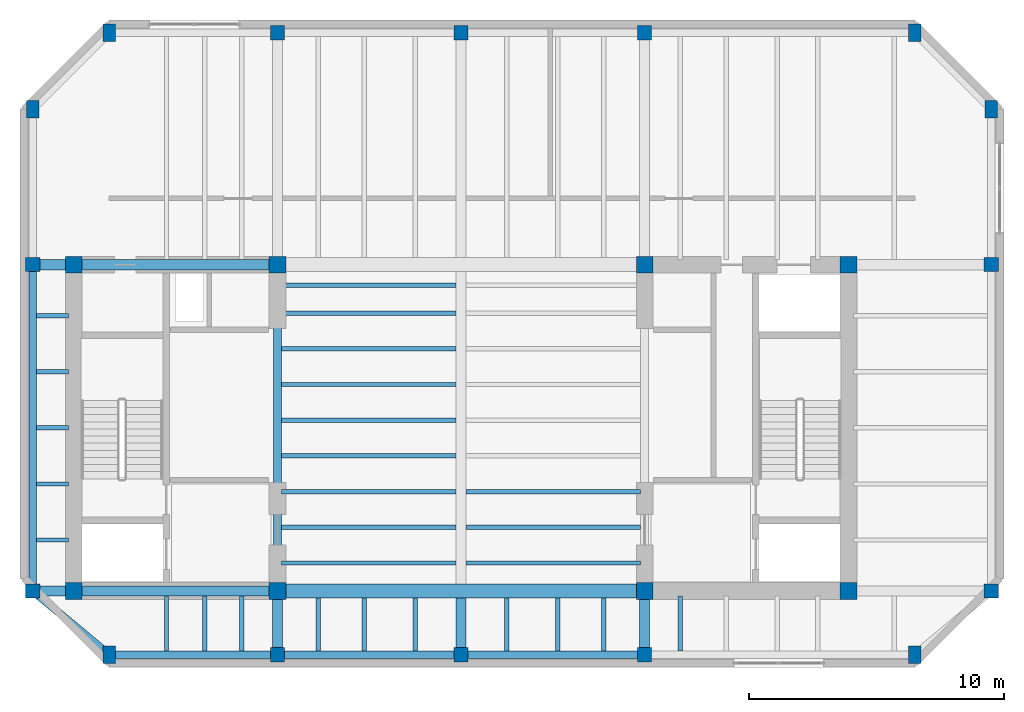
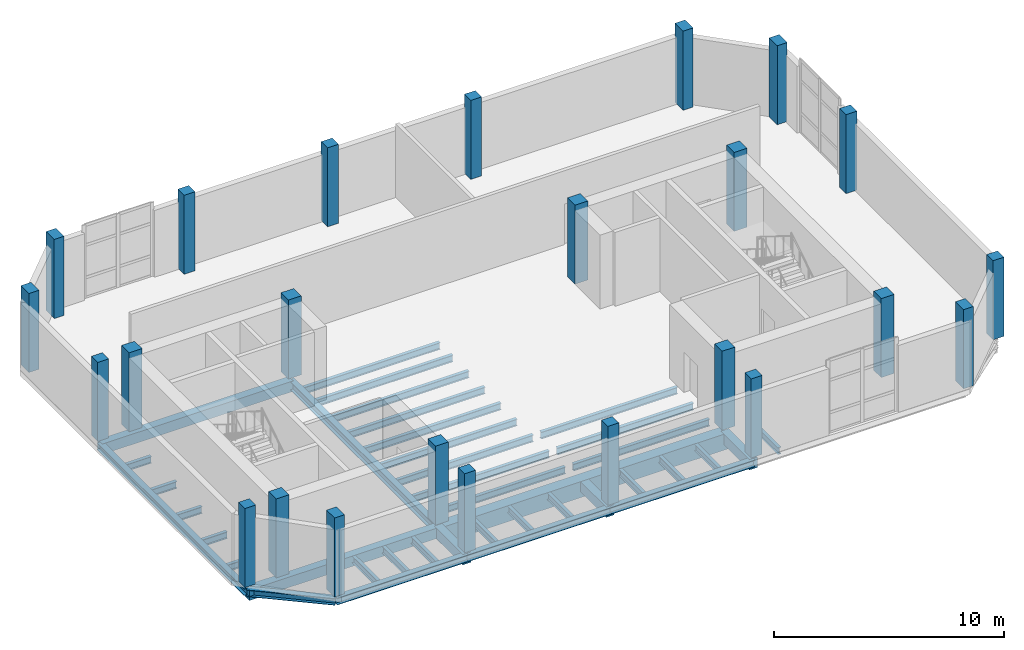
# One storey, part 1 of 7: 39 beams, 24 columns.
"""IFC4 building model written with IfcOpenShell, lengths in metres."""

import ifcopenshell
import ifcopenshell.guid

model = None  # the IFC model being written
_history = None  # IfcOwnerHistory: only IFC2X3 demands one
_inside = {}  # id of a spatial element -> (the spatial element, [elements in it])
_under = {}  # id of a project, library or spatial element -> (it, [spatial elements below it])
_declared = {}  # id of a project -> (the project, [libraries it declares])
_typed = {}  # id of a type object -> (the type object, [elements of that type])
_made_of = {}  # id of a material, layer set ... -> (it, [elements and type objects made of it])


def new_model(schema):
    """Start an empty IFC model of exactly this schema.

    Asked for "IFC4X3", IfcOpenShell would pick the latest addendum, in which some entities
    have other attributes; the version numbers below select the first issue.
    IFC2X3 requires an IfcOwnerHistory on every rooted entity: one is made here for all.
    """
    global model, _history
    if schema == "IFC4X3":
        model = ifcopenshell.file(schema_version=(4, 3, 0, 0))
    else:
        model = ifcopenshell.file(schema=schema)
    _inside.clear()
    _under.clear()
    _declared.clear()
    _typed.clear()
    _made_of.clear()
    _history = None
    if model.schema == "IFC2X3":
        org = make("IfcOrganization", Name="unknown")
        user = make(
            "IfcPersonAndOrganization",
            ThePerson=make("IfcPerson", FamilyName="unknown"),
            TheOrganization=org,
        )
        app = make(
            "IfcApplication",
            ApplicationDeveloper=org,
            Version="unknown",
            ApplicationFullName="unknown",
            ApplicationIdentifier="unknown",
        )
        _history = make(
            "IfcOwnerHistory",
            OwningUser=user,
            OwningApplication=app,
            ChangeAction="ADDED",
            CreationDate=0,
        )
    return model


def make(cls, **values):
    """One entity of the class cls with the attributes given. An attribute that is None is left unset."""
    return model.create_entity(
        cls, **{name: value for name, value in values.items() if value is not None}
    )


def rooted(cls, **values):
    """An entity with a GlobalId (a new one), such as an element, a storey or a relation."""
    return make(cls, GlobalId=ifcopenshell.guid.new(), OwnerHistory=_history, **values)


def si_unit(unit_type, name, prefix=None):
    """IfcSIUnit, for example si_unit("LENGTHUNIT", "METRE", prefix="MILLI")."""
    return make("IfcSIUnit", UnitType=unit_type, Prefix=prefix, Name=name)


def assignment(units):
    """IfcUnitAssignment: the units of a project."""
    return None if units is None else make("IfcUnitAssignment", Units=units)


def point(xyz):
    """IfcCartesianPoint."""
    return None if xyz is None else make("IfcCartesianPoint", Coordinates=xyz)


def direction(xyz):
    """IfcDirection."""
    return None if xyz is None else make("IfcDirection", DirectionRatios=xyz)


def frame(location, z_axis=None, x_axis=None):
    """IfcAxis2Placement3D, a coordinate frame: its origin and axes. An axis left out is left unset."""
    return make(
        "IfcAxis2Placement3D",
        Location=point(location),
        Axis=direction(z_axis),
        RefDirection=direction(x_axis),
    )


def frame_2d(location, x_axis=None):
    """IfcAxis2Placement2D, a coordinate frame in the plane: its origin and x axis."""
    return make(
        "IfcAxis2Placement2D", Location=point(location), RefDirection=direction(x_axis)
    )


def origin():
    """The frame at (0, 0, 0) with its axes left unset."""
    return frame((0.0, 0.0, 0.0))


def origin_2d():
    """The frame at (0, 0) in the plane with its x axis left unset."""
    return frame_2d((0.0, 0.0))


def place(relative_to, where):
    """IfcLocalPlacement: puts the frame where relative to a parent placement (None: the world)."""
    return make(
        "IfcLocalPlacement", PlacementRelTo=relative_to, RelativePlacement=where
    )


def context(
    kind, dimensions, precision=None, world=None, true_north=None, identifier=None
):
    """IfcGeometricRepresentationContext, for example the 3D "Model" context."""
    return make(
        "IfcGeometricRepresentationContext",
        ContextIdentifier=identifier,
        ContextType=kind,
        CoordinateSpaceDimension=dimensions,
        Precision=precision,
        WorldCoordinateSystem=world,
        TrueNorth=true_north,
    )


def subcontext(parent, identifier, kind, view, scale=None):
    """IfcGeometricRepresentationSubContext, for example "Body" below "Model"."""
    return make(
        "IfcGeometricRepresentationSubContext",
        ContextIdentifier=identifier,
        ContextType=kind,
        ParentContext=parent,
        TargetScale=scale,
        TargetView=view,
    )


def project(units=None, contexts=None):
    """IfcProject with its units and contexts."""
    return rooted(
        "IfcProject",
        Name="project",
        RepresentationContexts=contexts,
        UnitsInContext=assignment(units),
    )


def spatial(cls, under=None, at=None, **own):
    """A site, building, storey or space (cls), placed at a placement, below another one or the project."""
    s = rooted(cls, ObjectPlacement=at, **own)
    if under is not None:
        _under.setdefault(under.id(), (under, []))[1].append(s)
    return s


def profile(cls, at=None, kind="AREA", **sizes):
    """A parametric profile (cls). Its sizes go by their IFC names, for example OverallWidth=200.0."""
    return make(cls, ProfileType=kind, Position=at, **sizes)


def rectangle(**sizes):
    """IfcRectangleProfileDef."""
    return profile("IfcRectangleProfileDef", **sizes)


def i_section(**sizes):
    """IfcIShapeProfileDef."""
    return profile("IfcIShapeProfileDef", **sizes)


def extrude(swept, where, along, depth):
    """IfcExtrudedAreaSolid: the profile swept, set in the frame where, extruded along a direction by depth."""
    return make(
        "IfcExtrudedAreaSolid",
        SweptArea=swept,
        Position=where,
        ExtrudedDirection=direction(along),
        Depth=depth,
    )


def shape(context_of_items, identifier, shape_type, items):
    """IfcShapeRepresentation: the items that make up one representation, for example the "Body"."""
    return make(
        "IfcShapeRepresentation",
        ContextOfItems=context_of_items,
        RepresentationIdentifier=identifier,
        RepresentationType=shape_type,
        Items=items,
    )


def material(Name=None, Category=None):
    """IfcMaterial."""
    return make("IfcMaterial", Name=Name, Category=Category)


def material_profile(
    of_material, cross_section, Name=None, Category=None, Priority=None
):
    """IfcMaterialProfile: a cross section and its material."""
    return make(
        "IfcMaterialProfile",
        Name=Name,
        Material=of_material,
        Profile=cross_section,
        Priority=Priority,
        Category=Category,
    )


def profile_set(profiles, Name=None, composite=None):
    """IfcMaterialProfileSet."""
    return make(
        "IfcMaterialProfileSet",
        Name=Name,
        MaterialProfiles=profiles,
        CompositeProfile=composite,
    )


def made_of(thing, what):
    """Note that an element or type object is made of a material, layer set ...; save() writes the relation."""
    if what is not None:
        _made_of.setdefault(what.id(), (what, []))[1].append(thing)
    return thing


def type_object(cls, material=None, **own):
    """A type object (cls), such as IfcWallType, which elements share."""
    return made_of(rooted(cls, **own), material)


def element(
    cls,
    number,
    at=None,
    inside=None,
    cuts=None,
    type_object=None,
    material=None,
    context=None,
    identifier="Body",
    shape_type=None,
    held_by="IfcProductDefinitionShape",
    body=None,
    shapes=None,
    **own,
):
    """One element of the class cls, such as IfcWall. Its Tag is "e" and its number.

    at: its placement. inside: the storey or other place that contains it. cuts: it is an
    opening in that element (IfcRelVoidsElement). A single representation is given by context,
    identifier, shape_type and body (its items); several are given by shapes. held_by: the class
    of the entity that holds the representations. save() writes the other relations.
    """
    e = rooted(cls, Tag="e%d" % number, ObjectPlacement=at, **own)
    if body is not None:
        shapes = [shape(context, identifier, shape_type, body)]
    if shapes is not None:
        e.Representation = make(held_by, Representations=shapes)
    if inside is not None:
        _inside.setdefault(inside.id(), (inside, []))[1].append(e)
    if cuts is not None:
        rooted(
            "IfcRelVoidsElement", RelatingBuildingElement=cuts, RelatedOpeningElement=e
        )
    if type_object is not None:
        _typed.setdefault(type_object.id(), (type_object, []))[1].append(e)
    return made_of(e, material)


def aggregate(whole, parts):
    """IfcRelAggregates: a whole, such as a stair, and the parts it consists of."""
    return rooted("IfcRelAggregates", RelatingObject=whole, RelatedObjects=parts)


def save(model, path):
    """Write the relations noted so far, then the file.

    IfcRelAggregates (storeys below a building ...), IfcRelContainedInSpatialStructure (elements
    in a storey), IfcRelDefinesByType, IfcRelAssociatesMaterial and IfcRelDeclares: one each for
    every whole, place, type object, material and project.
    """
    for whole, parts in _under.values():
        aggregate(whole, parts)
    for where, things in _inside.values():
        rooted(
            "IfcRelContainedInSpatialStructure",
            RelatedElements=things,
            RelatingStructure=where,
        )
    for kind, things in _typed.values():
        rooted("IfcRelDefinesByType", RelatedObjects=things, RelatingType=kind)
    for what, things in _made_of.values():
        rooted("IfcRelAssociatesMaterial", RelatedObjects=things, RelatingMaterial=what)
    for by, libraries in _declared.values():
        rooted("IfcRelDeclares", RelatingContext=by, RelatedDefinitions=libraries)
    model.write(path)


model = new_model("IFC4")

# Units and contexts
model_context = context("Model", 3, precision=1e-05, world=origin(), true_north=direction((0.0, 1.0)))
body_context = subcontext(model_context, "Body", "Model", "MODEL_VIEW")
ifc_project = project(units=[si_unit("LENGTHUNIT", "METRE"), si_unit("AREAUNIT", "SQUARE_METRE"), si_unit("VOLUMEUNIT", "CUBIC_METRE"), si_unit("PLANEANGLEUNIT", "RADIAN"), si_unit("MASSUNIT", "GRAM", prefix="KILO")], contexts=[model_context])

# Site, building, storey
site_placement = place(None, origin())
site = spatial("IfcSite", under=ifc_project, at=site_placement, CompositionType="ELEMENT")
building_placement = place(site_placement, origin())
building = spatial("IfcBuilding", under=site, at=building_placement, Name="Kranthara Brick Stack", CompositionType="ELEMENT")
storey_placement = place(building_placement, frame((0.0, 0.0, 304.800048828125)))
storey = spatial("IfcBuildingStorey", under=building, at=storey_placement, Name="L80", CompositionType="ELEMENT", Elevation=304.800048828125)

# Columns
ifc_material_1 = material(Name="Concrete C45/55", Category="concrete")
ifc_material_profile_1 = material_profile(ifc_material_1, rectangle(XDim=0.5, YDim=0.699951171875, at=origin_2d()), Name="RC 500x700")
ifc_profile_set_1 = profile_set([ifc_material_profile_1], Name="Concrete C45/55")
column_type_1 = type_object("IfcColumnType", Name="COL-CHAM-500x700", PredefinedType="COLUMN", material=ifc_profile_set_1)
for number, where, z_axis, x_axis, name in (
    (1, (14.199951171875, 18.300048828125, 0.0), (0.0, 0.0, 1.0), (1.0, 0.0, 0.0), "L80 Column 09"),
    (2, (14.199951171875, 42.699951171875, 0.0), (0.0, 0.0, 1.0), (1.0, 0.0, 0.0), "L80 Column 10"),
    (3, (45.800048828125, 18.300048828125, 0.0), (0.0, 0.0, 1.0), (1.0, 0.0, 0.0), "L80 Column 17"),
    (4, (45.800048828125, 42.699951171875, 0.0), (0.0, 0.0, 1.0), (1.0, 0.0, 0.0), "L80 Column 18"),
    (5, (11.199951171875, 39.699951171875, 0.0), (0.0, 0.0, 1.0), (1.0, 0.0, 0.0), "L80 Column 23"),
    (6, (48.800048828125, 39.699951171875, 0.0), (0.0, 0.0, 1.0), (1.0, 0.0, 0.0), "L80 Column 24"),
):
    element("IfcColumn", number, at=place(storey_placement, frame(where, z_axis=z_axis, x_axis=x_axis)), inside=storey, type_object=column_type_1, Name=name, PredefinedType="COLUMN", context=body_context, shape_type="SweptSolid", body=[
        extrude(rectangle(XDim=0.5, YDim=0.699951171875, at=origin_2d()), origin(), (0.0, 0.0, 1.0), 4.199951171875),
    ])
ifc_material_2 = material(Name="Concrete C50/60", Category="concrete")
ifc_material_profile_2 = material_profile(ifc_material_2, rectangle(XDim=0.64990234375, YDim=0.64990234375, at=origin_2d()), Name="RC 650x650")
ifc_profile_set_2 = profile_set([ifc_material_profile_2], Name="Concrete C50/60")
column_type_2 = type_object("IfcColumnType", Name="COL-CORE-650", PredefinedType="COLUMN", material=ifc_profile_set_2)
for number, where, z_axis, x_axis, name in (
    (7, (12.800048828125, 20.800048828125, 0.0), (0.0, 0.0, 1.0), (1.0, 0.0, 0.0), "L80 Column 01"),
    (8, (20.800048828125, 20.800048828125, 0.0), (0.0, 0.0, 1.0), (1.0, 0.0, 0.0), "L80 Column 02"),
    (9, (12.800048828125, 33.60009765625, 0.0), (0.0, 0.0, 1.0), (1.0, 0.0, 0.0), "L80 Column 03"),
    (10, (20.800048828125, 33.60009765625, 0.0), (0.0, 0.0, 1.0), (1.0, 0.0, 0.0), "L80 Column 04"),
    (11, (35.199951171875, 20.800048828125, 0.0), (0.0, 0.0, 1.0), (1.0, 0.0, 0.0), "L80 Column 05"),
    (12, (43.199951171875, 20.800048828125, 0.0), (0.0, 0.0, 1.0), (1.0, 0.0, 0.0), "L80 Column 06"),
    (13, (35.199951171875, 33.60009765625, 0.0), (0.0, 0.0, 1.0), (1.0, 0.0, 0.0), "L80 Column 07"),
    (14, (43.199951171875, 33.60009765625, 0.0), (0.0, 0.0, 1.0), (1.0, 0.0, 0.0), "L80 Column 08"),
):
    element("IfcColumn", number, at=place(storey_placement, frame(where, z_axis=z_axis, x_axis=x_axis)), inside=storey, type_object=column_type_2, Name=name, PredefinedType="COLUMN", context=body_context, shape_type="SweptSolid", body=[
        extrude(rectangle(XDim=0.64990234375, YDim=0.64990234375, at=origin_2d()), origin(), (0.0, 0.0, 1.0), 4.199951171875),
    ])
ifc_material_3 = material(Name="Concrete C45/55", Category="concrete")
ifc_material_profile_3 = material_profile(ifc_material_3, rectangle(XDim=0.550048828125, YDim=0.550048828125, at=origin_2d()), Name="RC 550x550")
ifc_profile_set_3 = profile_set([ifc_material_profile_3], Name="Concrete C45/55")
column_type_3 = type_object("IfcColumnType", Name="COL-PER-550", PredefinedType="COLUMN", material=ifc_profile_set_3)
for number, where, z_axis, x_axis, name in (
    (15, (20.800048828125, 18.300048828125, 0.0), (0.0, 0.0, 1.0), (1.0, 0.0, 0.0), "L80 Column 11"),
    (16, (20.800048828125, 42.699951171875, 0.0), (0.0, 0.0, 1.0), (1.0, 0.0, 0.0), "L80 Column 12"),
    (17, (28.0, 18.300048828125, 0.0), (0.0, 0.0, 1.0), (1.0, 0.0, 0.0), "L80 Column 13"),
    (18, (28.0, 42.699951171875, 0.0), (0.0, 0.0, 1.0), (1.0, 0.0, 0.0), "L80 Column 14"),
    (19, (35.199951171875, 18.300048828125, 0.0), (0.0, 0.0, 1.0), (1.0, 0.0, 0.0), "L80 Column 15"),
    (20, (35.199951171875, 42.699951171875, 0.0), (0.0, 0.0, 1.0), (1.0, 0.0, 0.0), "L80 Column 16"),
    (21, (11.199951171875, 20.800048828125, 0.0), (0.0, 0.0, 1.0), (1.0, 0.0, 0.0), "L80 Column 19"),
    (22, (48.800048828125, 20.800048828125, 0.0), (0.0, 0.0, 1.0), (1.0, 0.0, 0.0), "L80 Column 20"),
    (23, (11.199951171875, 33.60009765625, 0.0), (0.0, 0.0, 1.0), (1.0, 0.0, 0.0), "L80 Column 21"),
    (24, (48.800048828125, 33.60009765625, 0.0), (0.0, 0.0, 1.0), (1.0, 0.0, 0.0), "L80 Column 22"),
):
    element("IfcColumn", number, at=place(storey_placement, frame(where, z_axis=z_axis, x_axis=x_axis)), inside=storey, type_object=column_type_3, Name=name, PredefinedType="COLUMN", context=body_context, shape_type="SweptSolid", body=[
        extrude(rectangle(XDim=0.550048828125, YDim=0.550048828125, at=origin_2d()), origin(), (0.0, 0.0, 1.0), 4.199951171875),
    ])

# Beams
ifc_material_4 = material(Name="Concrete C50/60", Category="concrete")
ifc_material_profile_4 = material_profile(ifc_material_4, rectangle(XDim=0.550048828125, YDim=0.85009765625, at=origin_2d()), Name="RC 550x850")
ifc_profile_set_4 = profile_set([ifc_material_profile_4], Name="Concrete C50/60")
beam_type_1 = type_object("IfcBeamType", Name="BM-CPL-RC850", PredefinedType="LINTEL", material=ifc_profile_set_4)
beam_1_placement = place(storey_placement, frame((20.800048828125, 20.800048828125, -0.705078125), z_axis=(1.0, 0.0, 0.0), x_axis=(0.0, 1.0, 0.0)))
element("IfcBeam", 25, at=beam_1_placement, inside=storey, type_object=beam_type_1, Name="L80 Core Coupling Beam 001", PredefinedType="LINTEL", context=body_context, shape_type="SweptSolid", body=[
    extrude(rectangle(XDim=0.550048828125, YDim=0.85009765625, at=origin_2d()), origin(), (0.0, 0.0, 1.0), 14.39990234375),
])
ifc_material_5 = material(Name="Post-tensioned concrete C45/55", Category="concrete")
ifc_material_profile_5 = material_profile(ifc_material_5, rectangle(XDim=0.39990234375, YDim=0.550048828125, at=origin_2d()), Name="PT 400x550")
ifc_profile_set_5 = profile_set([ifc_material_profile_5], Name="Post-tensioned concrete C45/55")
beam_type_2 = type_object("IfcBeamType", Name="BM-FLR-PT550", PredefinedType="BEAM", material=ifc_profile_set_5)
beam_2_placement = place(storey_placement, frame((20.800048828125, 18.300048828125, -0.554931640625), z_axis=(0.0, 1.0, 0.0), x_axis=(-1.0, 0.0, 0.0)))
element("IfcBeam", 26, at=beam_2_placement, inside=storey, type_object=beam_type_2, Name="L80 Primary Grid Girder 021", PredefinedType="BEAM", context=body_context, shape_type="SweptSolid", body=[
    extrude(rectangle(XDim=0.39990234375, YDim=0.550048828125, at=origin_2d()), origin(), (0.0, 0.0, 1.0), 2.5),
])
beam_3_placement = place(storey_placement, frame((28.0, 18.300048828125, -0.554931640625), z_axis=(0.0, 1.0, 0.0), x_axis=(-1.0, 0.0, 0.0)))
element("IfcBeam", 27, at=beam_3_placement, inside=storey, type_object=beam_type_2, Name="L80 Primary Grid Girder 023", PredefinedType="BEAM", context=body_context, shape_type="SweptSolid", body=[
    extrude(rectangle(XDim=0.39990234375, YDim=0.550048828125, at=origin_2d()), origin(), (0.0, 0.0, 1.0), 2.224853515625),
])
beam_4_placement = place(storey_placement, frame((35.199951171875, 18.300048828125, -0.554931640625), z_axis=(0.0, 1.0, 0.0), x_axis=(-1.0, 0.0, 0.0)))
element("IfcBeam", 28, at=beam_4_placement, inside=storey, type_object=beam_type_2, Name="L80 Primary Grid Girder 026", PredefinedType="BEAM", context=body_context, shape_type="SweptSolid", body=[
    extrude(rectangle(XDim=0.39990234375, YDim=0.550048828125, at=origin_2d()), origin(), (0.0, 0.0, 1.0), 2.5),
])
for number, where, z_axis, x_axis, name in (
    (29, (11.199951171875, 20.800048828125, -0.554931640625), (1.0, 0.0, 0.0), (0.0, 1.0, 0.0), "L80 Primary Grid Girder 028"),
    (30, (11.199951171875, 33.60009765625, -0.554931640625), (1.0, 0.0, 0.0), (0.0, 1.0, 0.0), "L80 Primary Grid Girder 030"),
):
    element("IfcBeam", number, at=place(storey_placement, frame(where, z_axis=z_axis, x_axis=x_axis)), inside=storey, type_object=beam_type_2, Name=name, PredefinedType="BEAM", context=body_context, shape_type="SweptSolid", body=[
        extrude(rectangle(XDim=0.39990234375, YDim=0.550048828125, at=origin_2d()), origin(), (0.0, 0.0, 1.0), 9.60009765625),
    ])
ifc_material_6 = material(Name="Steel S355", Category="steel")
ifc_material_profile_6 = material_profile(ifc_material_6, i_section(OverallWidth=0.169921875, OverallDepth=0.360107421875, WebThickness=0.008056640625, FlangeThickness=0.0126953125, at=origin_2d()), Name="IPE 360")
ifc_profile_set_6 = profile_set([ifc_material_profile_6], Name="Steel S355")
beam_type_3 = type_object("IfcBeamType", Name="BM-JST-IPE360", PredefinedType="JOIST", material=ifc_profile_set_6)
for number, where, z_axis, x_axis, name in (
    (31, (20.949951171875, 21.89990234375, -0.4599609375), (1.0, 0.0, 0.0), (0.0, 1.0, 0.0), "L80 Central Floor Joist 032"),
    (32, (28.199951171875, 21.89990234375, -0.4599609375), (1.0, 0.0, 0.0), (0.0, 1.0, 0.0), "L80 Central Floor Joist 033"),
    (33, (20.949951171875, 23.300048828125, -0.4599609375), (1.0, 0.0, 0.0), (0.0, 1.0, 0.0), "L80 Central Floor Joist 034"),
    (34, (28.199951171875, 23.300048828125, -0.4599609375), (1.0, 0.0, 0.0), (0.0, 1.0, 0.0), "L80 Central Floor Joist 035"),
    (35, (20.949951171875, 24.699951171875, -0.4599609375), (1.0, 0.0, 0.0), (0.0, 1.0, 0.0), "L80 Central Floor Joist 036"),
    (36, (28.199951171875, 24.699951171875, -0.4599609375), (1.0, 0.0, 0.0), (0.0, 1.0, 0.0), "L80 Central Floor Joist 037"),
    (37, (20.949951171875, 26.10009765625, -0.4599609375), (1.0, 0.0, 0.0), (0.0, 1.0, 0.0), "L80 Central Floor Joist 038"),
    (38, (20.949951171875, 27.5, -0.4599609375), (1.0, 0.0, 0.0), (0.0, 1.0, 0.0), "L80 Central Floor Joist 040"),
    (39, (20.949951171875, 28.89990234375, -0.4599609375), (1.0, 0.0, 0.0), (0.0, 1.0, 0.0), "L80 Central Floor Joist 042"),
    (40, (20.949951171875, 30.300048828125, -0.4599609375), (1.0, 0.0, 0.0), (0.0, 1.0, 0.0), "L80 Central Floor Joist 044"),
    (41, (20.949951171875, 31.699951171875, -0.4599609375), (1.0, 0.0, 0.0), (0.0, 1.0, 0.0), "L80 Central Floor Joist 046"),
    (42, (20.949951171875, 32.800048828125, -0.4599609375), (1.0, 0.0, 0.0), (0.0, 1.0, 0.0), "L80 Central Floor Joist 048"),
):
    element("IfcBeam", number, at=place(storey_placement, frame(where, z_axis=z_axis, x_axis=x_axis)), inside=storey, type_object=beam_type_3, Name=name, PredefinedType="JOIST", context=body_context, shape_type="SweptSolid", body=[
        extrude(i_section(OverallWidth=0.169921875, OverallDepth=0.360107421875, WebThickness=0.008056640625, FlangeThickness=0.0126953125, at=origin_2d()), origin(), (0.0, 0.0, 1.0), 6.85009765625),
    ])
for number, where, z_axis, x_axis, name in (
    (43, (16.449951171875, 18.449951171875, -0.4599609375), (0.0, 1.0, 0.0), (-1.0, 0.0, 0.0), "L80 South Wing Floor Joist 050"),
    (44, (17.949951171875, 18.449951171875, -0.4599609375), (0.0, 1.0, 0.0), (-1.0, 0.0, 0.0), "L80 South Wing Floor Joist 052"),
    (45, (19.39990234375, 18.449951171875, -0.4599609375), (0.0, 1.0, 0.0), (-1.0, 0.0, 0.0), "L80 South Wing Floor Joist 054"),
):
    element("IfcBeam", number, at=place(storey_placement, frame(where, z_axis=z_axis, x_axis=x_axis)), inside=storey, type_object=beam_type_3, Name=name, PredefinedType="JOIST", context=body_context, shape_type="SweptSolid", body=[
        extrude(i_section(OverallWidth=0.169921875, OverallDepth=0.360107421875, WebThickness=0.008056640625, FlangeThickness=0.0126953125, at=origin_2d()), origin(), (0.0, 0.0, 1.0), 2.150146484375),
    ])
for number, where, z_axis, x_axis, name in (
    (46, (22.39990234375, 18.449951171875, -0.4599609375), (0.0, 1.0, 0.0), (-1.0, 0.0, 0.0), "L80 South Wing Floor Joist 056"),
    (47, (24.199951171875, 18.449951171875, -0.4599609375), (0.0, 1.0, 0.0), (-1.0, 0.0, 0.0), "L80 South Wing Floor Joist 058"),
    (48, (26.199951171875, 18.449951171875, -0.4599609375), (0.0, 1.0, 0.0), (-1.0, 0.0, 0.0), "L80 South Wing Floor Joist 060"),
    (49, (29.800048828125, 18.449951171875, -0.4599609375), (0.0, 1.0, 0.0), (-1.0, 0.0, 0.0), "L80 South Wing Floor Joist 062"),
    (50, (31.800048828125, 18.449951171875, -0.4599609375), (0.0, 1.0, 0.0), (-1.0, 0.0, 0.0), "L80 South Wing Floor Joist 064"),
    (51, (33.60009765625, 18.449951171875, -0.4599609375), (0.0, 1.0, 0.0), (-1.0, 0.0, 0.0), "L80 South Wing Floor Joist 066"),
):
    element("IfcBeam", number, at=place(storey_placement, frame(where, z_axis=z_axis, x_axis=x_axis)), inside=storey, type_object=beam_type_3, Name=name, PredefinedType="JOIST", context=body_context, shape_type="SweptSolid", body=[
        extrude(i_section(OverallWidth=0.169921875, OverallDepth=0.360107421875, WebThickness=0.008056640625, FlangeThickness=0.0126953125, at=origin_2d()), origin(), (0.0, 0.0, 1.0), 2.074951171875),
    ])
beam_5_placement = place(storey_placement, frame((36.60009765625, 18.449951171875, -0.4599609375), z_axis=(0.0, 1.0, 0.0), x_axis=(-1.0, 0.0, 0.0)))
element("IfcBeam", 52, at=beam_5_placement, inside=storey, type_object=beam_type_3, Name="L80 South Wing Floor Joist 068", PredefinedType="JOIST", context=body_context, shape_type="SweptSolid", body=[
    extrude(i_section(OverallWidth=0.169921875, OverallDepth=0.360107421875, WebThickness=0.008056640625, FlangeThickness=0.0126953125, at=origin_2d()), origin(), (0.0, 0.0, 1.0), 2.150146484375),
])
for number, where, z_axis, x_axis, name in (
    (53, (11.35009765625, 22.800048828125, -0.4599609375), (1.0, 0.0, 0.0), (0.0, 1.0, 0.0), "L80 West Wing Floor Joist 078"),
    (54, (11.35009765625, 25.0, -0.4599609375), (1.0, 0.0, 0.0), (0.0, 1.0, 0.0), "L80 West Wing Floor Joist 080"),
    (55, (11.35009765625, 27.199951171875, -0.4599609375), (1.0, 0.0, 0.0), (0.0, 1.0, 0.0), "L80 West Wing Floor Joist 082"),
    (56, (11.35009765625, 29.39990234375, -0.4599609375), (1.0, 0.0, 0.0), (0.0, 1.0, 0.0), "L80 West Wing Floor Joist 084"),
    (57, (11.35009765625, 31.60009765625, -0.4599609375), (1.0, 0.0, 0.0), (0.0, 1.0, 0.0), "L80 West Wing Floor Joist 086"),
):
    element("IfcBeam", number, at=place(storey_placement, frame(where, z_axis=z_axis, x_axis=x_axis)), inside=storey, type_object=beam_type_3, Name=name, PredefinedType="JOIST", context=body_context, shape_type="SweptSolid", body=[
        extrude(i_section(OverallWidth=0.169921875, OverallDepth=0.360107421875, WebThickness=0.008056640625, FlangeThickness=0.0126953125, at=origin_2d()), origin(), (0.0, 0.0, 1.0), 1.25),
    ])
ifc_material_7 = material(Name="Steel S355", Category="steel")
ifc_material_profile_7 = material_profile(ifc_material_7, i_section(OverallWidth=0.300048828125, OverallDepth=0.360107421875, WebThickness=0.012451171875, FlangeThickness=0.0224609375, at=origin_2d()), Name="HEB 360")
ifc_profile_set_7 = profile_set([ifc_material_profile_7], Name="Steel S355")
beam_type_4 = type_object("IfcBeamType", Name="BM-STL-HEB360", PredefinedType="SPANDREL", material=ifc_profile_set_7)
beam_6_placement = place(storey_placement, frame((14.199951171875, 18.300048828125, -0.4599609375), z_axis=(1.0, 0.0, 0.0), x_axis=(0.0, 1.0, 0.0)))
element("IfcBeam", 58, at=beam_6_placement, inside=storey, type_object=beam_type_4, Name="L80 Perimeter Spandrel Beam 005", PredefinedType="SPANDREL", context=body_context, shape_type="SweptSolid", body=[
    extrude(i_section(OverallWidth=0.300048828125, OverallDepth=0.360107421875, WebThickness=0.012451171875, FlangeThickness=0.0224609375, at=origin_2d()), origin(), (0.0, 0.0, 1.0), 6.60009765625),
])
for number, where, z_axis, x_axis, name in (
    (59, (20.800048828125, 18.300048828125, -0.4599609375), (1.0, 0.0, 0.0), (0.0, 1.0, 0.0), "L80 Perimeter Spandrel Beam 006"),
    (60, (28.0, 18.300048828125, -0.4599609375), (1.0, 0.0, 0.0), (0.0, 1.0, 0.0), "L80 Perimeter Spandrel Beam 007"),
):
    element("IfcBeam", number, at=place(storey_placement, frame(where, z_axis=z_axis, x_axis=x_axis)), inside=storey, type_object=beam_type_4, Name=name, PredefinedType="SPANDREL", context=body_context, shape_type="SweptSolid", body=[
        extrude(i_section(OverallWidth=0.300048828125, OverallDepth=0.360107421875, WebThickness=0.012451171875, FlangeThickness=0.0224609375, at=origin_2d()), origin(), (0.0, 0.0, 1.0), 7.199951171875),
    ])
beam_7_placement = place(storey_placement, frame((11.199951171875, 20.800048828125, -0.4599609375), z_axis=(0.0, 1.0, 0.0), x_axis=(-1.0, 0.0, 0.0)))
element("IfcBeam", 61, at=beam_7_placement, inside=storey, type_object=beam_type_4, Name="L80 Perimeter Spandrel Beam 013", PredefinedType="SPANDREL", context=body_context, shape_type="SweptSolid", body=[
    extrude(i_section(OverallWidth=0.300048828125, OverallDepth=0.360107421875, WebThickness=0.012451171875, FlangeThickness=0.0224609375, at=origin_2d()), origin(), (0.0, 0.0, 1.0), 12.800048828125),
])
beam_8_placement = place(storey_placement, frame((14.199951171875, 18.300048828125, -0.4599609375), z_axis=(-0.768221279597, 0.640184399664, 0.0), x_axis=(-0.640184399664, -0.768221279597, 0.0)))
element("IfcBeam", 62, at=beam_8_placement, inside=storey, type_object=beam_type_4, Name="L80 Chamfer Corner Spandrel 017", PredefinedType="SPANDREL", context=body_context, shape_type="SweptSolid", body=[
    extrude(i_section(OverallWidth=0.300048828125, OverallDepth=0.360107421875, WebThickness=0.012451171875, FlangeThickness=0.0224609375, at=origin_2d()), origin(), (0.0, 0.0, 1.0), 3.905029296875),
])
ifc_material_8 = material(Name="Steel S355", Category="steel")
ifc_material_profile_8 = material_profile(ifc_material_8, i_section(OverallWidth=0.300048828125, OverallDepth=0.449951171875, WebThickness=0.013916015625, FlangeThickness=0.02587890625, at=origin_2d()), Name="HEB 450")
ifc_profile_set_8 = profile_set([ifc_material_profile_8], Name="Steel S355")
beam_type_5 = type_object("IfcBeamType", Name="BM-STL-HEB450", PredefinedType="SPANDREL", material=ifc_profile_set_8)
beam_9_placement = place(storey_placement, frame((20.800048828125, 20.800048828125, -0.505126953125), z_axis=(0.0, 1.0, 0.0), x_axis=(-1.0, 0.0, 0.0)))
element("IfcBeam", 63, at=beam_9_placement, inside=storey, type_object=beam_type_5, Name="L80 Core Edge Tie Beam 003", PredefinedType="SPANDREL", context=body_context, shape_type="SweptSolid", body=[
    extrude(i_section(OverallWidth=0.300048828125, OverallDepth=0.449951171875, WebThickness=0.013916015625, FlangeThickness=0.02587890625, at=origin_2d()), origin(), (0.0, 0.0, 1.0), 12.800048828125),
])

save(model, "model.ifc")
